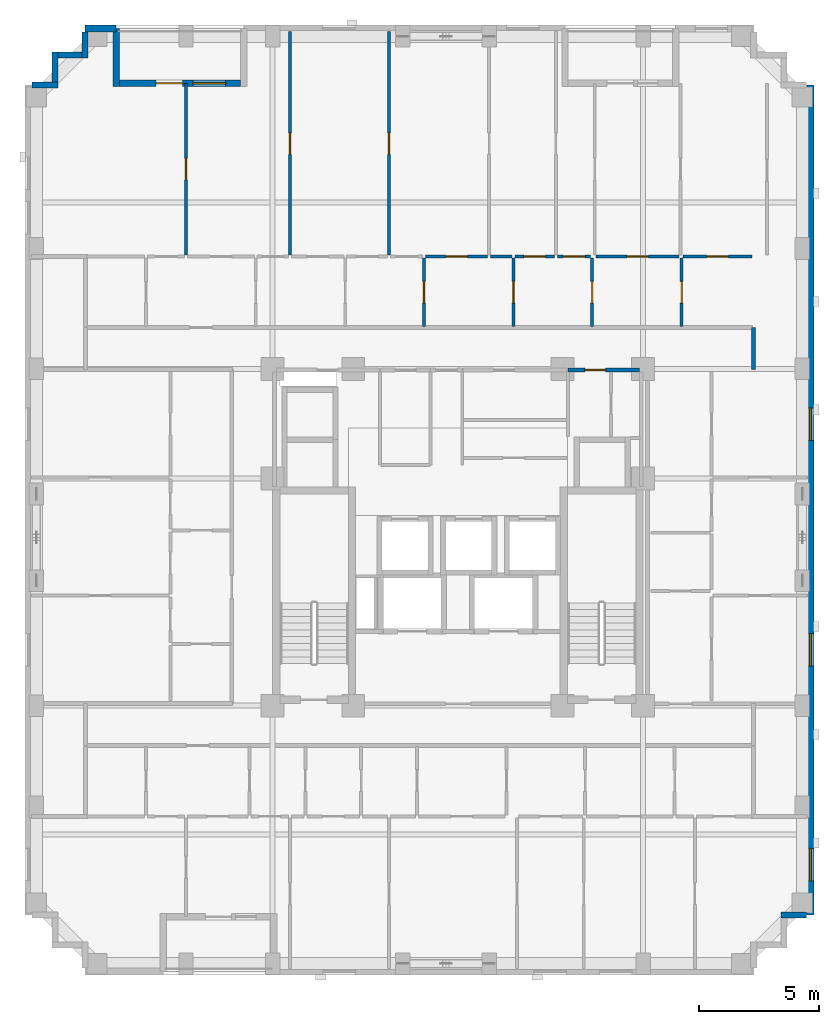
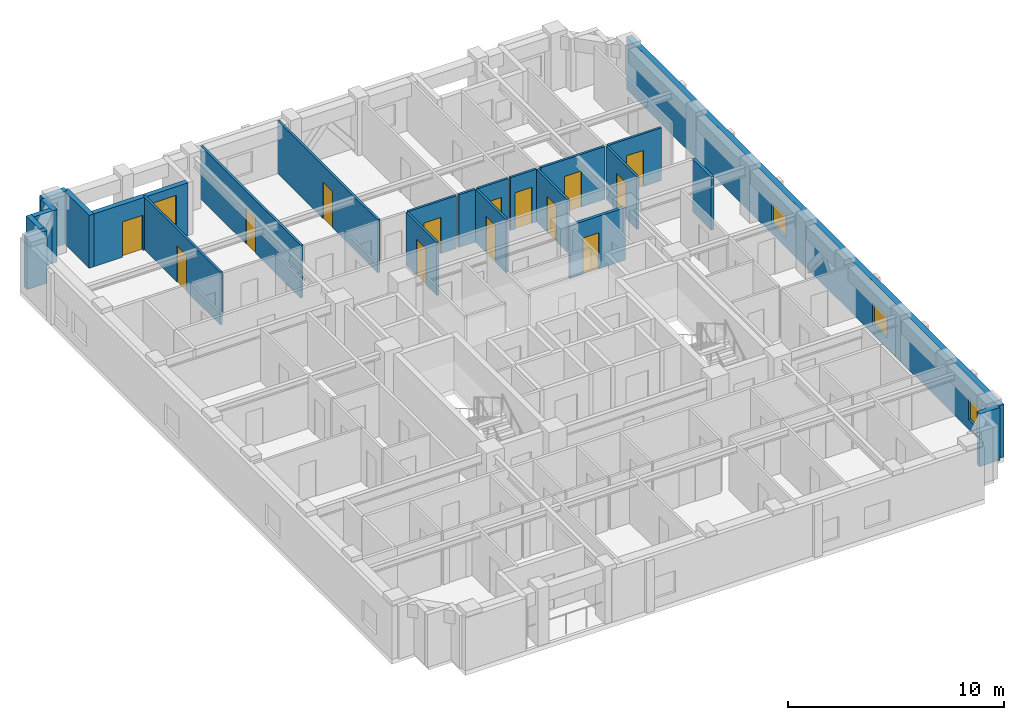
# One storey, part 7 of 11: 24 walls, 14 doors, 4 windows, 18 openings.
"""IFC4 building model written with IfcOpenShell, lengths in metres."""

from ifc_helpers import new_model, si_unit, derived_unit, direction, frame, frame_2d, origin, place, context, subcontext, project, spatial, rectangle, extrude, material, layer, layer_set, type_object, element, fill, save


model = new_model("IFC4")

# Units and contexts
model_context = context("Model", 3, precision=1e-05, world=origin(), true_north=direction((0.0, 1.0)))
body_context = subcontext(model_context, "Body", "Model", "MODEL_VIEW")
ifc_project = project(units=[si_unit("LENGTHUNIT", "METRE"), si_unit("AREAUNIT", "SQUARE_METRE"), si_unit("VOLUMEUNIT", "CUBIC_METRE"), si_unit("PLANEANGLEUNIT", "RADIAN"), si_unit("MASSUNIT", "GRAM", prefix="KILO"), derived_unit("THERMALTRANSMITTANCEUNIT", [(si_unit("MASSUNIT", "GRAM", prefix="KILO"), 1), (si_unit("TIMEUNIT", "SECOND"), -3), (si_unit("THERMODYNAMICTEMPERATUREUNIT", "KELVIN"), -1)])], contexts=[model_context])

# Site, building, storey
site_placement = place(None, origin())
site = spatial("IfcSite", under=ifc_project, at=site_placement, CompositionType="ELEMENT")
building_placement = place(site_placement, origin())
building = spatial("IfcBuilding", under=site, at=building_placement, Name="Korrvale Station Residences", CompositionType="ELEMENT")
storey_placement = place(building_placement, frame((0.0, 0.0, 153.64990234375)))
storey = spatial("IfcBuildingStorey", under=building, at=storey_placement, Name="L44", CompositionType="ELEMENT", Elevation=153.64990234375)

# Wall
ifc_material_1 = material(Name="Precast concrete C45/55", Category="concrete")
ifc_layer_1 = layer(ifc_material_1, 0.260009765625, Name="Precast concrete C45/55")
ifc_layer_set_1 = layer_set([ifc_layer_1], Name="Precast concrete C45/55")
wall_type_1 = type_object("IfcWallType", Name="WAL-EXT-LOG260", PredefinedType="SOLIDWALL", material=ifc_layer_set_1)
wall_1_placement = place(storey_placement, frame((11.300048828125, 43.139892578125, 0.0), z_axis=(0.0, 0.0, 1.0), x_axis=(0.0, -1.0, 0.0)))
element("IfcWall", 1, at=wall_1_placement, inside=storey, type_object=wall_type_1, Name="L44 Recessed Loggia Wall BAL-L44-N2-L", PredefinedType="SOLIDWALL", context=body_context, shape_type="SweptSolid", body=[
    extrude(rectangle(XDim=2.39990234375, YDim=0.260009765625, at=frame_2d((1.199951171875, 0.0))), origin(), (0.0, 0.0, 1.0), 2.989990234375),
])

# Wall, openings, door, window
wall_2_placement = place(storey_placement, frame((11.43408203125, 40.8701171875, 0.0), z_axis=(0.0, 0.0, 1.0), x_axis=(1.0, 0.0, 0.0)))
wall_2 = element("IfcWall", 2, at=wall_2_placement, inside=storey, type_object=wall_type_1, Name="L44 Recessed Loggia Wall BAL-L44-N2-B", PredefinedType="SOLIDWALL", context=body_context, shape_type="SweptSolid", body=[
    extrude(rectangle(XDim=5.031982421875, YDim=0.260009765625, at=frame_2d((2.51611328125, 0.0))), origin(), (0.0, 0.0, 1.0), 2.989990234375),
])
opening_1_placement = place(wall_2_placement, frame((1.52587890625, 0.0, 0.0)))
opening_1 = element("IfcOpeningElement", 3, at=opening_1_placement, cuts=wall_2, Name="Opening BD-01", PredefinedType="OPENING", context=body_context, shape_type="SweptSolid", body=[
    extrude(rectangle(XDim=1.10009765625, YDim=2.0, at=frame_2d((0.550048828125, 1.0))), frame((0.0, 0.14013671875, 0.0), z_axis=(0.0, -1.0, 0.0), x_axis=(1.0, 0.0, 0.0)), (0.0, 0.0, 1.0), 0.280029296875),
])
opening_2_placement = place(wall_2_placement, frame((3.06103515625, 0.0, 0.85009765625)))
opening_2 = element("IfcOpeningElement", 4, at=opening_2_placement, cuts=wall_2, Name="Opening W-06", PredefinedType="OPENING", context=body_context, shape_type="SweptSolid", body=[
    extrude(rectangle(XDim=1.35009765625, YDim=1.64990234375, at=frame_2d((0.675048828125, 0.824951171875))), frame((0.0, 0.14013671875, 0.0), z_axis=(0.0, -1.0, 0.0), x_axis=(1.0, 0.0, 0.0)), (0.0, 0.0, 1.0), 0.280029296875),
])
ifc_material_2 = material(Name="Exterior thermally broken aluminium glazed balcony door", Category="aluminium")
door_type_1 = type_object("IfcDoorType", Name="DR-EXT-BAL", OperationType="NOTDEFINED", PredefinedType="DOOR", material=ifc_material_2)
door_1_placement = place(opening_1_placement, origin())
door_1 = element("IfcDoor", 5, at=door_1_placement, inside=storey, type_object=door_type_1, Name="L44 Loggia Balcony Door BAL-L44-N2", OperationType="SINGLE_SWING_LEFT", OverallHeight=2.0, OverallWidth=1.10009765625, PredefinedType="DOOR", context=body_context, shape_type="SweptSolid", body=[
    extrude(rectangle(XDim=1.10009765625, YDim=2.0, at=frame_2d((0.550048828125, 1.0))), frame((0.0, 0.02490234375, 0.0), z_axis=(0.0, -1.0, 0.0), x_axis=(1.0, 0.0, 0.0)), (0.0, 0.0, 1.0), 0.050048828125),
])
fill(opening_1, door_1)
ifc_material_3 = material(Name="Thermally broken aluminium frame with triple low-e glazing", Category="aluminium")
window_type_1 = type_object("IfcWindowType", Name="WIN-W06", PartitioningType="SINGLE_PANEL", PredefinedType="WINDOW", material=ifc_material_3)
window_1_placement = place(opening_2_placement, origin())
window_1 = element("IfcWindow", 6, at=window_1_placement, inside=storey, type_object=window_type_1, Name="L44 Punched Window 09", OverallHeight=1.64990234375, OverallWidth=1.35009765625, PartitioningType="SINGLE_PANEL", PredefinedType="WINDOW", context=body_context, shape_type="SweptSolid", body=[
    extrude(rectangle(XDim=1.35009765625, YDim=1.64990234375, at=frame_2d((0.675048828125, 0.824951171875))), frame((0.0, 0.030029296875, 0.0), z_axis=(0.0, -1.0, 0.0), x_axis=(1.0, 0.0, 0.0)), (0.0, 0.0, 1.0), 0.06005859375),
])
fill(opening_2, window_1)

# Walls
wall_3_placement = place(storey_placement, frame((7.802001953125, 40.800048828125, 0.0), z_axis=(0.0, 0.0, 1.0), x_axis=(1.0, 0.0, 0.0)))
element("IfcWall", 7, at=wall_3_placement, inside=storey, type_object=wall_type_1, Name="L44 Serrated Corner Precast Step NW-1", PredefinedType="SOLIDWALL", context=body_context, shape_type="SweptSolid", body=[
    extrude(rectangle(XDim=1.077880859375, YDim=0.260009765625, at=frame_2d((0.5390625, 0.0))), origin(), (0.0, 0.0, 1.0), 2.989990234375),
])
wall_4_placement = place(storey_placement, frame((8.75, 40.931884765625, 0.0), z_axis=(0.0, 0.0, 1.0), x_axis=(0.0, 1.0, 0.0)))
element("IfcWall", 8, at=wall_4_placement, inside=storey, type_object=wall_type_1, Name="L44 Serrated Corner Precast Step NW-2", PredefinedType="SOLIDWALL", context=body_context, shape_type="SweptSolid", body=[
    extrude(rectangle(XDim=1.248046875, YDim=0.260009765625, at=frame_2d((0.6240234375, 0.0))), origin(), (0.0, 0.0, 1.0), 2.989990234375),
])
wall_5_placement = place(storey_placement, frame((8.882080078125, 42.050048828125, 0.0), z_axis=(0.0, 0.0, 1.0), x_axis=(1.0, 0.0, 0.0)))
element("IfcWall", 9, at=wall_5_placement, inside=storey, type_object=wall_type_1, Name="L44 Serrated Corner Precast Step NW-3", PredefinedType="SOLIDWALL", context=body_context, shape_type="SweptSolid", body=[
    extrude(rectangle(XDim=0.98583984375, YDim=0.260009765625, at=frame_2d((0.492919921875, 0.0))), origin(), (0.0, 0.0, 1.0), 2.989990234375),
])
for number, where, z_axis, x_axis, name in (
    (10, (10.0, 41.919921875, 0.0), (0.0, 0.0, 1.0), (0.0, 1.0, 0.0), "L44 Serrated Corner Precast Step NW-4"),
    (11, (39.998046875, 6.300048828125, 0.0), (0.0, 0.0, 1.0), (-1.0, 0.0, 0.0), "L44 Serrated Corner Precast Step SE-1"),
):
    element("IfcWall", number, at=place(storey_placement, frame(where, z_axis=z_axis, x_axis=x_axis)), inside=storey, type_object=wall_type_1, Name=name, PredefinedType="SOLIDWALL", context=body_context, shape_type="SweptSolid", body=[
        extrude(rectangle(XDim=1.078125, YDim=0.260009765625, at=frame_2d((0.5390625, 0.0))), origin(), (0.0, 0.0, 1.0), 2.989990234375),
    ])
ifc_layer_2 = layer(ifc_material_1, 0.300048828125, Name="Precast concrete C45/55")
ifc_layer_set_2 = layer_set([ifc_layer_2], Name="Precast concrete C45/55")
wall_type_2 = type_object("IfcWallType", Name="WAL-EXT-PC300", PredefinedType="SOLIDWALL", material=ifc_layer_set_2)
wall_6_placement = place(storey_placement, frame((10.0, 43.14990234375, 0.0), z_axis=(0.0, 0.0, 1.0), x_axis=(1.0, 0.0, 0.0)))
element("IfcWall", 12, at=wall_6_placement, inside=storey, type_object=wall_type_2, Name="L44 North Exterior Precast Wall 1", PredefinedType="SOLIDWALL", context=body_context, shape_type="SweptSolid", body=[
    extrude(rectangle(XDim=1.300048828125, YDim=0.300048828125, at=frame_2d((0.64990234375, 0.0))), origin(), (0.0, 0.0, 1.0), 2.989990234375),
])

# Wall, openings, windows
wall_7_placement = place(storey_placement, frame((40.14990234375, 40.800048828125, 0.0), z_axis=(0.0, 0.0, 1.0), x_axis=(0.0, -1.0, 0.0)))
wall_7 = element("IfcWall", 13, at=wall_7_placement, inside=storey, type_object=wall_type_2, Name="L44 East Exterior Precast Wall 1", PredefinedType="SOLIDWALL", context=body_context, shape_type="SweptSolid", body=[
    extrude(rectangle(XDim=34.5, YDim=0.300048828125, at=frame_2d((17.25, 0.0))), origin(), (0.0, 0.0, 1.0), 2.989990234375),
])
opening_3_placement = place(wall_7_placement, frame((31.72509765625, 0.0, 0.550048828125)))
opening_3 = element("IfcOpeningElement", 14, at=opening_3_placement, cuts=wall_7, Name="Opening W-10", PredefinedType="OPENING", context=body_context, shape_type="SweptSolid", body=[
    extrude(rectangle(XDim=1.35009765625, YDim=1.199951171875, at=frame_2d((0.675048828125, 0.60009765625))), frame((0.0, 0.16015625, 0.0), z_axis=(0.0, -1.0, 0.0), x_axis=(1.0, 0.0, 0.0)), (0.0, 0.0, 1.0), 0.320068359375),
])
opening_4_placement = place(wall_7_placement, frame((22.800048828125, 0.0, 0.550048828125)))
opening_4 = element("IfcOpeningElement", 15, at=opening_4_placement, cuts=wall_7, Name="Opening W-10", PredefinedType="OPENING", context=body_context, shape_type="SweptSolid", body=[
    extrude(rectangle(XDim=1.35009765625, YDim=1.199951171875, at=frame_2d((0.675048828125, 0.60009765625))), frame((0.0, 0.16015625, 0.0), z_axis=(0.0, -1.0, 0.0), x_axis=(1.0, 0.0, 0.0)), (0.0, 0.0, 1.0), 0.320068359375),
])
opening_5_placement = place(wall_7_placement, frame((13.425048828125, 0.0, 0.550048828125)))
opening_5 = element("IfcOpeningElement", 16, at=opening_5_placement, cuts=wall_7, Name="Opening W-10", PredefinedType="OPENING", context=body_context, shape_type="SweptSolid", body=[
    extrude(rectangle(XDim=1.35009765625, YDim=1.199951171875, at=frame_2d((0.675048828125, 0.60009765625))), frame((0.0, 0.16015625, 0.0), z_axis=(0.0, -1.0, 0.0), x_axis=(1.0, 0.0, 0.0)), (0.0, 0.0, 1.0), 0.320068359375),
])
window_type_2 = type_object("IfcWindowType", Name="WIN-W10", PartitioningType="SINGLE_PANEL", PredefinedType="WINDOW", material=ifc_material_3)
window_2_placement = place(opening_3_placement, origin())
window_2 = element("IfcWindow", 17, at=window_2_placement, inside=storey, type_object=window_type_2, Name="L44 Punched Window 06", OverallHeight=1.199951171875, OverallWidth=1.35009765625, PartitioningType="SINGLE_PANEL", PredefinedType="WINDOW", context=body_context, shape_type="SweptSolid", body=[
    extrude(rectangle(XDim=1.35009765625, YDim=1.199951171875, at=frame_2d((0.675048828125, 0.60009765625))), frame((0.0, 0.030029296875, 0.0), z_axis=(0.0, -1.0, 0.0), x_axis=(1.0, 0.0, 0.0)), (0.0, 0.0, 1.0), 0.06005859375),
])
fill(opening_3, window_2)
window_3_placement = place(opening_4_placement, origin())
window_3 = element("IfcWindow", 18, at=window_3_placement, inside=storey, type_object=window_type_2, Name="L44 Punched Window 16", OverallHeight=1.199951171875, OverallWidth=1.35009765625, PartitioningType="SINGLE_PANEL", PredefinedType="WINDOW", context=body_context, shape_type="SweptSolid", body=[
    extrude(rectangle(XDim=1.35009765625, YDim=1.199951171875, at=frame_2d((0.675048828125, 0.60009765625))), frame((0.0, 0.030029296875, 0.0), z_axis=(0.0, -1.0, 0.0), x_axis=(1.0, 0.0, 0.0)), (0.0, 0.0, 1.0), 0.06005859375),
])
fill(opening_4, window_3)
window_4_placement = place(opening_5_placement, origin())
window_4 = element("IfcWindow", 19, at=window_4_placement, inside=storey, type_object=window_type_2, Name="L44 Punched Window 17", OverallHeight=1.199951171875, OverallWidth=1.35009765625, PartitioningType="SINGLE_PANEL", PredefinedType="WINDOW", context=body_context, shape_type="SweptSolid", body=[
    extrude(rectangle(XDim=1.35009765625, YDim=1.199951171875, at=frame_2d((0.675048828125, 0.60009765625))), frame((0.0, 0.030029296875, 0.0), z_axis=(0.0, -1.0, 0.0), x_axis=(1.0, 0.0, 0.0)), (0.0, 0.0, 1.0), 0.06005859375),
])
fill(opening_5, window_4)

# Wall, opening, door
ifc_material_4 = material(Name="Acoustic steel-stud gypsum board partition", Category="steel")
ifc_layer_3 = layer(ifc_material_4, 0.1201171875, Name="Acoustic steel-stud gypsum board partition")
ifc_layer_set_3 = layer_set([ifc_layer_3], Name="Acoustic steel-stud gypsum board partition")
wall_type_3 = type_object("IfcWallType", Name="WAL-PART-125", PredefinedType="PARTITIONING", material=ifc_layer_set_3)
wall_8_placement = place(storey_placement, frame((24.090087890625, 30.760009765625, 0.0), z_axis=(0.0, 0.0, 1.0), x_axis=(0.0, 1.0, 0.0)))
wall_8 = element("IfcWall", 20, at=wall_8_placement, inside=storey, type_object=wall_type_3, Name="L44 Suite Partition U02-V34", PredefinedType="PARTITIONING", context=body_context, shape_type="SweptSolid", body=[
    extrude(rectangle(XDim=2.85009765625, YDim=0.1201171875, at=frame_2d((1.425048828125, 0.0))), origin(), (0.0, 0.0, 1.0), 2.989990234375),
])
opening_6_placement = place(wall_8_placement, frame((0.97509765625, 0.0, 0.0)))
opening_6 = element("IfcOpeningElement", 21, at=opening_6_placement, cuts=wall_8, Name="Opening DI-900", PredefinedType="OPENING", context=body_context, shape_type="SweptSolid", body=[
    extrude(rectangle(XDim=0.89990234375, YDim=2.050048828125, at=frame_2d((0.449951171875, 1.02490234375))), frame((0.0, 0.070068359375, 0.0), z_axis=(0.0, -1.0, 0.0), x_axis=(1.0, 0.0, 0.0)), (0.0, 0.0, 1.0), 0.14013671875),
])
ifc_material_5 = material(Name="Painted solid-core timber interior room door", Category="wood")
door_type_2 = type_object("IfcDoorType", Name="DR-INT-900", OperationType="NOTDEFINED", PredefinedType="DOOR", material=ifc_material_5)
door_2_placement = place(opening_6_placement, origin())
door_2 = element("IfcDoor", 22, at=door_2_placement, inside=storey, type_object=door_type_2, Name="L44 Apartment 3BR L44-U02 Storage Closet 2 Door", OperationType="SINGLE_SWING_RIGHT", OverallHeight=2.050048828125, OverallWidth=0.89990234375, PredefinedType="DOOR", context=body_context, shape_type="SweptSolid", body=[
    extrude(rectangle(XDim=0.89990234375, YDim=2.050048828125, at=frame_2d((0.449951171875, 1.02490234375))), frame((0.0, 0.02490234375, 0.0), z_axis=(0.0, -1.0, 0.0), x_axis=(1.0, 0.0, 0.0)), (0.0, 0.0, 1.0), 0.050048828125),
])
fill(opening_6, door_2)

wall_9_placement = place(storey_placement, frame((27.81005859375, 30.760009765625, 0.0), z_axis=(0.0, 0.0, 1.0), x_axis=(0.0, 1.0, 0.0)))
wall_9 = element("IfcWall", 23, at=wall_9_placement, inside=storey, type_object=wall_type_3, Name="L44 Suite Partition U02-V45", PredefinedType="PARTITIONING", context=body_context, shape_type="SweptSolid", body=[
    extrude(rectangle(XDim=2.85009765625, YDim=0.1201171875, at=frame_2d((1.425048828125, 0.0))), origin(), (0.0, 0.0, 1.0), 2.989990234375),
])
opening_7_placement = place(wall_9_placement, frame((0.97509765625, 0.0, 0.0)))
opening_7 = element("IfcOpeningElement", 24, at=opening_7_placement, cuts=wall_9, Name="Opening DI-900", PredefinedType="OPENING", context=body_context, shape_type="SweptSolid", body=[
    extrude(rectangle(XDim=0.89990234375, YDim=2.050048828125, at=frame_2d((0.449951171875, 1.02490234375))), frame((0.0, 0.070068359375, 0.0), z_axis=(0.0, -1.0, 0.0), x_axis=(1.0, 0.0, 0.0)), (0.0, 0.0, 1.0), 0.14013671875),
])
door_3_placement = place(opening_7_placement, origin())
door_3 = element("IfcDoor", 25, at=door_3_placement, inside=storey, type_object=door_type_2, Name="L44 Apartment 3BR L44-U02 Storage Closet 3 Door", OperationType="SINGLE_SWING_LEFT", OverallHeight=2.050048828125, OverallWidth=0.89990234375, PredefinedType="DOOR", context=body_context, shape_type="SweptSolid", body=[
    extrude(rectangle(XDim=0.89990234375, YDim=2.050048828125, at=frame_2d((0.449951171875, 1.02490234375))), frame((0.0, 0.02490234375, 0.0), z_axis=(0.0, -1.0, 0.0), x_axis=(1.0, 0.0, 0.0)), (0.0, 0.0, 1.0), 0.050048828125),
])
fill(opening_7, door_3)

wall_10_placement = place(storey_placement, frame((24.14990234375, 33.669921875, 0.0), z_axis=(0.0, 0.0, 1.0), x_axis=(1.0, 0.0, 0.0)))
wall_10 = element("IfcWall", 26, at=wall_10_placement, inside=storey, type_object=wall_type_3, Name="L44 Suite Partition U02-H411", PredefinedType="PARTITIONING", context=body_context, shape_type="SweptSolid", body=[
    extrude(rectangle(XDim=2.590087890625, YDim=0.1201171875, at=frame_2d((1.294921875, 0.0))), origin(), (0.0, 0.0, 1.0), 2.989990234375),
])
opening_8_placement = place(wall_10_placement, frame((0.844970703125, 0.0, 0.0)))
opening_8 = element("IfcOpeningElement", 27, at=opening_8_placement, cuts=wall_10, Name="Opening DI-900", PredefinedType="OPENING", context=body_context, shape_type="SweptSolid", body=[
    extrude(rectangle(XDim=0.89990234375, YDim=2.050048828125, at=frame_2d((0.449951171875, 1.02490234375))), frame((0.0, 0.070068359375, 0.0), z_axis=(0.0, -1.0, 0.0), x_axis=(1.0, 0.0, 0.0)), (0.0, 0.0, 1.0), 0.14013671875),
])
door_4_placement = place(opening_8_placement, origin())
door_4 = element("IfcDoor", 28, at=door_4_placement, inside=storey, type_object=door_type_2, Name="L44 Apartment 3BR L44-U02 Storage Closet 3 Door", OperationType="SINGLE_SWING_RIGHT", OverallHeight=2.050048828125, OverallWidth=0.89990234375, PredefinedType="DOOR", context=body_context, shape_type="SweptSolid", body=[
    extrude(rectangle(XDim=0.89990234375, YDim=2.050048828125, at=frame_2d((0.449951171875, 1.02490234375))), frame((0.0, 0.02490234375, 0.0), z_axis=(0.0, -1.0, 0.0), x_axis=(1.0, 0.0, 0.0)), (0.0, 0.0, 1.0), 0.050048828125),
])
fill(opening_8, door_4)

# Wall
wall_11_placement = place(storey_placement, frame((26.860107421875, 33.669921875, 0.0), z_axis=(0.0, 0.0, 1.0), x_axis=(1.0, 0.0, 0.0)))
element("IfcWall", 29, at=wall_11_placement, inside=storey, type_object=wall_type_3, Name="L44 Suite Partition U02-H412", PredefinedType="PARTITIONING", context=body_context, shape_type="SweptSolid", body=[
    extrude(rectangle(XDim=0.889892578125, YDim=0.1201171875, at=frame_2d((0.44482421875, 0.0))), origin(), (0.0, 0.0, 1.0), 2.989990234375),
])

# Wall, opening, door
wall_12_placement = place(storey_placement, frame((31.080078125, 30.760009765625, 0.0), z_axis=(0.0, 0.0, 1.0), x_axis=(0.0, 1.0, 0.0)))
wall_12 = element("IfcWall", 30, at=wall_12_placement, inside=storey, type_object=wall_type_3, Name="L44 Suite Partition U02-V56", PredefinedType="PARTITIONING", context=body_context, shape_type="SweptSolid", body=[
    extrude(rectangle(XDim=2.85009765625, YDim=0.1201171875, at=frame_2d((1.425048828125, 0.0))), origin(), (0.0, 0.0, 1.0), 2.989990234375),
])
opening_9_placement = place(wall_12_placement, frame((0.97509765625, 0.0, 0.0)))
opening_9 = element("IfcOpeningElement", 31, at=opening_9_placement, cuts=wall_12, Name="Opening DI-900", PredefinedType="OPENING", context=body_context, shape_type="SweptSolid", body=[
    extrude(rectangle(XDim=0.89990234375, YDim=2.050048828125, at=frame_2d((0.449951171875, 1.02490234375))), frame((0.0, 0.070068359375, 0.0), z_axis=(0.0, -1.0, 0.0), x_axis=(1.0, 0.0, 0.0)), (0.0, 0.0, 1.0), 0.14013671875),
])
door_5_placement = place(opening_9_placement, origin())
door_5 = element("IfcDoor", 32, at=door_5_placement, inside=storey, type_object=door_type_2, Name="L44 Apartment 3BR L44-U02 Storage Closet 4 Door", OperationType="SINGLE_SWING_LEFT", OverallHeight=2.050048828125, OverallWidth=0.89990234375, PredefinedType="DOOR", context=body_context, shape_type="SweptSolid", body=[
    extrude(rectangle(XDim=0.89990234375, YDim=2.050048828125, at=frame_2d((0.449951171875, 1.02490234375))), frame((0.0, 0.02490234375, 0.0), z_axis=(0.0, -1.0, 0.0), x_axis=(1.0, 0.0, 0.0)), (0.0, 0.0, 1.0), 0.050048828125),
])
fill(opening_9, door_5)

wall_13_placement = place(storey_placement, frame((27.8701171875, 33.669921875, 0.0), z_axis=(0.0, 0.0, 1.0), x_axis=(1.0, 0.0, 0.0)))
wall_13 = element("IfcWall", 33, at=wall_13_placement, inside=storey, type_object=wall_type_3, Name="L44 Suite Partition U02-H512", PredefinedType="PARTITIONING", context=body_context, shape_type="SweptSolid", body=[
    extrude(rectangle(XDim=1.639892578125, YDim=0.1201171875, at=frame_2d((0.81982421875, 0.0))), origin(), (0.0, 0.0, 1.0), 2.989990234375),
])
opening_10_placement = place(wall_13_placement, frame((0.3701171875, 0.0, 0.0)))
opening_10 = element("IfcOpeningElement", 34, at=opening_10_placement, cuts=wall_13, Name="Opening DI-900", PredefinedType="OPENING", context=body_context, shape_type="SweptSolid", body=[
    extrude(rectangle(XDim=0.89990234375, YDim=2.050048828125, at=frame_2d((0.449951171875, 1.02490234375))), frame((0.0, 0.070068359375, 0.0), z_axis=(0.0, -1.0, 0.0), x_axis=(1.0, 0.0, 0.0)), (0.0, 0.0, 1.0), 0.14013671875),
])
door_6_placement = place(opening_10_placement, origin())
door_6 = element("IfcDoor", 35, at=door_6_placement, inside=storey, type_object=door_type_2, Name="L44 Apartment 3BR L44-U02 Storage Closet 4 Door", OperationType="SINGLE_SWING_RIGHT", OverallHeight=2.050048828125, OverallWidth=0.89990234375, PredefinedType="DOOR", context=body_context, shape_type="SweptSolid", body=[
    extrude(rectangle(XDim=0.89990234375, YDim=2.050048828125, at=frame_2d((0.449951171875, 1.02490234375))), frame((0.0, 0.02490234375, 0.0), z_axis=(0.0, -1.0, 0.0), x_axis=(1.0, 0.0, 0.0)), (0.0, 0.0, 1.0), 0.050048828125),
])
fill(opening_10, door_6)

wall_14_placement = place(storey_placement, frame((29.6298828125, 33.669921875, 0.0), z_axis=(0.0, 0.0, 1.0), x_axis=(1.0, 0.0, 0.0)))
wall_14 = element("IfcWall", 36, at=wall_14_placement, inside=storey, type_object=wall_type_3, Name="L44 Suite Partition U02-H513", PredefinedType="PARTITIONING", context=body_context, shape_type="SweptSolid", body=[
    extrude(rectangle(XDim=1.39013671875, YDim=0.1201171875, at=frame_2d((0.695068359375, 0.0))), origin(), (0.0, 0.0, 1.0), 2.989990234375),
])
opening_11_placement = place(wall_14_placement, frame((0.2451171875, 0.0, 0.0)))
opening_11 = element("IfcOpeningElement", 37, at=opening_11_placement, cuts=wall_14, Name="Opening DI-900", PredefinedType="OPENING", context=body_context, shape_type="SweptSolid", body=[
    extrude(rectangle(XDim=0.89990234375, YDim=2.050048828125, at=frame_2d((0.449951171875, 1.02490234375))), frame((0.0, 0.070068359375, 0.0), z_axis=(0.0, -1.0, 0.0), x_axis=(1.0, 0.0, 0.0)), (0.0, 0.0, 1.0), 0.14013671875),
])
door_7_placement = place(opening_11_placement, origin())
door_7 = element("IfcDoor", 38, at=door_7_placement, inside=storey, type_object=door_type_2, Name="L44 Apartment 3BR L44-U02 Storage Closet 4 Door", OperationType="SINGLE_SWING_LEFT", OverallHeight=2.050048828125, OverallWidth=0.89990234375, PredefinedType="DOOR", context=body_context, shape_type="SweptSolid", body=[
    extrude(rectangle(XDim=0.89990234375, YDim=2.050048828125, at=frame_2d((0.449951171875, 1.02490234375))), frame((0.0, 0.02490234375, 0.0), z_axis=(0.0, -1.0, 0.0), x_axis=(1.0, 0.0, 0.0)), (0.0, 0.0, 1.0), 0.050048828125),
])
fill(opening_11, door_7)

wall_15_placement = place(storey_placement, frame((34.800048828125, 30.760009765625, 0.0), z_axis=(0.0, 0.0, 1.0), x_axis=(0.0, 1.0, 0.0)))
wall_15 = element("IfcWall", 39, at=wall_15_placement, inside=storey, type_object=wall_type_3, Name="L44 Suite Partition U02-V67", PredefinedType="PARTITIONING", context=body_context, shape_type="SweptSolid", body=[
    extrude(rectangle(XDim=2.85009765625, YDim=0.1201171875, at=frame_2d((1.425048828125, 0.0))), origin(), (0.0, 0.0, 1.0), 2.989990234375),
])
opening_12_placement = place(wall_15_placement, frame((0.97509765625, 0.0, 0.0)))
opening_12 = element("IfcOpeningElement", 40, at=opening_12_placement, cuts=wall_15, Name="Opening DI-900", PredefinedType="OPENING", context=body_context, shape_type="SweptSolid", body=[
    extrude(rectangle(XDim=0.89990234375, YDim=2.050048828125, at=frame_2d((0.449951171875, 1.02490234375))), frame((0.0, 0.070068359375, 0.0), z_axis=(0.0, -1.0, 0.0), x_axis=(1.0, 0.0, 0.0)), (0.0, 0.0, 1.0), 0.14013671875),
])
door_8_placement = place(opening_12_placement, origin())
door_8 = element("IfcDoor", 41, at=door_8_placement, inside=storey, type_object=door_type_2, Name="L44 Apartment 3BR L44-U02 Storage Closet 5 Door", OperationType="SINGLE_SWING_RIGHT", OverallHeight=2.050048828125, OverallWidth=0.89990234375, PredefinedType="DOOR", context=body_context, shape_type="SweptSolid", body=[
    extrude(rectangle(XDim=0.89990234375, YDim=2.050048828125, at=frame_2d((0.449951171875, 1.02490234375))), frame((0.0, 0.02490234375, 0.0), z_axis=(0.0, -1.0, 0.0), x_axis=(1.0, 0.0, 0.0)), (0.0, 0.0, 1.0), 0.050048828125),
])
fill(opening_12, door_8)

wall_16_placement = place(storey_placement, frame((31.25, 33.669921875, 0.0), z_axis=(0.0, 0.0, 1.0), x_axis=(1.0, 0.0, 0.0)))
wall_16 = element("IfcWall", 42, at=wall_16_placement, inside=storey, type_object=wall_type_3, Name="L44 Suite Partition U02-H614", PredefinedType="PARTITIONING", context=body_context, shape_type="SweptSolid", body=[
    extrude(rectangle(XDim=3.43994140625, YDim=0.1201171875, at=frame_2d((1.719970703125, 0.0))), origin(), (0.0, 0.0, 1.0), 2.989990234375),
])
opening_13_placement = place(wall_16_placement, frame((1.27001953125, 0.0, 0.0)))
opening_13 = element("IfcOpeningElement", 43, at=opening_13_placement, cuts=wall_16, Name="Opening DI-900", PredefinedType="OPENING", context=body_context, shape_type="SweptSolid", body=[
    extrude(rectangle(XDim=0.89990234375, YDim=2.050048828125, at=frame_2d((0.449951171875, 1.02490234375))), frame((0.0, 0.070068359375, 0.0), z_axis=(0.0, -1.0, 0.0), x_axis=(1.0, 0.0, 0.0)), (0.0, 0.0, 1.0), 0.14013671875),
])
door_9_placement = place(opening_13_placement, origin())
door_9 = element("IfcDoor", 44, at=door_9_placement, inside=storey, type_object=door_type_2, Name="L44 Apartment 3BR L44-U02 Storage Closet 5 Door", OperationType="SINGLE_SWING_LEFT", OverallHeight=2.050048828125, OverallWidth=0.89990234375, PredefinedType="DOOR", context=body_context, shape_type="SweptSolid", body=[
    extrude(rectangle(XDim=0.89990234375, YDim=2.050048828125, at=frame_2d((0.449951171875, 1.02490234375))), frame((0.0, 0.02490234375, 0.0), z_axis=(0.0, -1.0, 0.0), x_axis=(1.0, 0.0, 0.0)), (0.0, 0.0, 1.0), 0.050048828125),
])
fill(opening_13, door_9)

wall_17_placement = place(storey_placement, frame((34.860107421875, 33.669921875, 0.0), z_axis=(0.0, 0.0, 1.0), x_axis=(1.0, 0.0, 0.0)))
wall_17 = element("IfcWall", 45, at=wall_17_placement, inside=storey, type_object=wall_type_3, Name="L44 Suite Partition U02-H715", PredefinedType="PARTITIONING", context=body_context, shape_type="SweptSolid", body=[
    extrude(rectangle(XDim=2.85986328125, YDim=0.1201171875, at=frame_2d((1.429931640625, 0.0))), origin(), (0.0, 0.0, 1.0), 2.989990234375),
])
opening_14_placement = place(wall_17_placement, frame((0.97998046875, 0.0, 0.0)))
opening_14 = element("IfcOpeningElement", 46, at=opening_14_placement, cuts=wall_17, Name="Opening DI-900", PredefinedType="OPENING", context=body_context, shape_type="SweptSolid", body=[
    extrude(rectangle(XDim=0.89990234375, YDim=2.050048828125, at=frame_2d((0.449951171875, 1.02490234375))), frame((0.0, 0.070068359375, 0.0), z_axis=(0.0, -1.0, 0.0), x_axis=(1.0, 0.0, 0.0)), (0.0, 0.0, 1.0), 0.14013671875),
])
door_10_placement = place(opening_14_placement, origin())
door_10 = element("IfcDoor", 47, at=door_10_placement, inside=storey, type_object=door_type_2, Name="L44 Apartment 3BR L44-U02 Storage Closet 6 Door", OperationType="SINGLE_SWING_RIGHT", OverallHeight=2.050048828125, OverallWidth=0.89990234375, PredefinedType="DOOR", context=body_context, shape_type="SweptSolid", body=[
    extrude(rectangle(XDim=0.89990234375, YDim=2.050048828125, at=frame_2d((0.449951171875, 1.02490234375))), frame((0.0, 0.02490234375, 0.0), z_axis=(0.0, -1.0, 0.0), x_axis=(1.0, 0.0, 0.0)), (0.0, 0.0, 1.0), 0.050048828125),
])
fill(opening_14, door_10)

wall_18_placement = place(storey_placement, frame((14.199951171875, 33.72998046875, 0.0), z_axis=(0.0, 0.0, 1.0), x_axis=(0.0, 1.0, 0.0)))
wall_18 = element("IfcWall", 48, at=wall_18_placement, inside=storey, type_object=wall_type_3, Name="L44 Suite Partition U02-V89", PredefinedType="PARTITIONING", context=body_context, shape_type="SweptSolid", body=[
    extrude(rectangle(XDim=7.14013671875, YDim=0.1201171875, at=frame_2d((3.570068359375, 0.0))), origin(), (0.0, 0.0, 1.0), 2.989990234375),
])
opening_15_placement = place(wall_18_placement, frame((3.1201171875, 0.0, 0.0)))
opening_15 = element("IfcOpeningElement", 49, at=opening_15_placement, cuts=wall_18, Name="Opening DI-900", PredefinedType="OPENING", context=body_context, shape_type="SweptSolid", body=[
    extrude(rectangle(XDim=0.89990234375, YDim=2.050048828125, at=frame_2d((0.449951171875, 1.02490234375))), frame((0.0, 0.070068359375, 0.0), z_axis=(0.0, -1.0, 0.0), x_axis=(1.0, 0.0, 0.0)), (0.0, 0.0, 1.0), 0.14013671875),
])
door_11_placement = place(opening_15_placement, origin())
door_11 = element("IfcDoor", 50, at=door_11_placement, inside=storey, type_object=door_type_2, Name="L44 Apartment 3BR L44-U02 Living and Dining Room Door", OperationType="SINGLE_SWING_LEFT", OverallHeight=2.050048828125, OverallWidth=0.89990234375, PredefinedType="DOOR", context=body_context, shape_type="SweptSolid", body=[
    extrude(rectangle(XDim=0.89990234375, YDim=2.050048828125, at=frame_2d((0.449951171875, 1.02490234375))), frame((0.0, 0.02490234375, 0.0), z_axis=(0.0, -1.0, 0.0), x_axis=(1.0, 0.0, 0.0)), (0.0, 0.0, 1.0), 0.050048828125),
])
fill(opening_15, door_11)

wall_19_placement = place(storey_placement, frame((18.52001953125, 33.72998046875, 0.0), z_axis=(0.0, 0.0, 1.0), x_axis=(0.0, 1.0, 0.0)))
wall_19 = element("IfcWall", 51, at=wall_19_placement, inside=storey, type_object=wall_type_3, Name="L44 Suite Partition U02-V910", PredefinedType="PARTITIONING", context=body_context, shape_type="SweptSolid", body=[
    extrude(rectangle(XDim=9.2900390625, YDim=0.1201171875, at=frame_2d((4.64501953125, 0.0))), origin(), (0.0, 0.0, 1.0), 2.989990234375),
])
opening_16_placement = place(wall_19_placement, frame((4.179931640625, 0.0, 0.0)))
opening_16 = element("IfcOpeningElement", 52, at=opening_16_placement, cuts=wall_19, Name="Opening DI-900", PredefinedType="OPENING", context=body_context, shape_type="SweptSolid", body=[
    extrude(rectangle(XDim=0.89990234375, YDim=2.050048828125, at=frame_2d((0.449951171875, 1.02490234375))), frame((0.0, 0.070068359375, 0.0), z_axis=(0.0, -1.0, 0.0), x_axis=(1.0, 0.0, 0.0)), (0.0, 0.0, 1.0), 0.14013671875),
])
door_12_placement = place(opening_16_placement, origin())
door_12 = element("IfcDoor", 53, at=door_12_placement, inside=storey, type_object=door_type_2, Name="L44 Apartment 3BR L44-U02 Formal Dining Room Door", OperationType="SINGLE_SWING_RIGHT", OverallHeight=2.050048828125, OverallWidth=0.89990234375, PredefinedType="DOOR", context=body_context, shape_type="SweptSolid", body=[
    extrude(rectangle(XDim=0.89990234375, YDim=2.050048828125, at=frame_2d((0.449951171875, 1.02490234375))), frame((0.0, 0.02490234375, 0.0), z_axis=(0.0, -1.0, 0.0), x_axis=(1.0, 0.0, 0.0)), (0.0, 0.0, 1.0), 0.050048828125),
])
fill(opening_16, door_12)

wall_20_placement = place(storey_placement, frame((22.639892578125, 33.72998046875, 0.0), z_axis=(0.0, 0.0, 1.0), x_axis=(0.0, 1.0, 0.0)))
wall_20 = element("IfcWall", 54, at=wall_20_placement, inside=storey, type_object=wall_type_3, Name="L44 Suite Partition U02-V1011", PredefinedType="PARTITIONING", context=body_context, shape_type="SweptSolid", body=[
    extrude(rectangle(XDim=9.2900390625, YDim=0.1201171875, at=frame_2d((4.64501953125, 0.0))), origin(), (0.0, 0.0, 1.0), 2.989990234375),
])
opening_17_placement = place(wall_20_placement, frame((4.179931640625, 0.0, 0.0)))
opening_17 = element("IfcOpeningElement", 55, at=opening_17_placement, cuts=wall_20, Name="Opening DI-900", PredefinedType="OPENING", context=body_context, shape_type="SweptSolid", body=[
    extrude(rectangle(XDim=0.89990234375, YDim=2.050048828125, at=frame_2d((0.449951171875, 1.02490234375))), frame((0.0, 0.070068359375, 0.0), z_axis=(0.0, -1.0, 0.0), x_axis=(1.0, 0.0, 0.0)), (0.0, 0.0, 1.0), 0.14013671875),
])
door_13_placement = place(opening_17_placement, origin())
door_13 = element("IfcDoor", 56, at=door_13_placement, inside=storey, type_object=door_type_2, Name="L44 Apartment 3BR L44-U02 Family Lounge Room Door", OperationType="SINGLE_SWING_LEFT", OverallHeight=2.050048828125, OverallWidth=0.89990234375, PredefinedType="DOOR", context=body_context, shape_type="SweptSolid", body=[
    extrude(rectangle(XDim=0.89990234375, YDim=2.050048828125, at=frame_2d((0.449951171875, 1.02490234375))), frame((0.0, 0.02490234375, 0.0), z_axis=(0.0, -1.0, 0.0), x_axis=(1.0, 0.0, 0.0)), (0.0, 0.0, 1.0), 0.050048828125),
])
fill(opening_17, door_13)

ifc_material_6 = material(Name="Fire-rated twin-stud gypsum and mineral wool shaftwall assembly", Category="gypsum")
ifc_layer_4 = layer(ifc_material_6, 0.159912109375, Name="Fire-rated twin-stud gypsum and mineral wool shaftwall assembly")
ifc_layer_set_4 = layer_set([ifc_layer_4], Name="Fire-rated twin-stud gypsum and mineral wool shaftwall assembly")
wall_type_4 = type_object("IfcWallType", Name="WAL-PART-200", PredefinedType="PARTITIONING", material=ifc_layer_set_4)
wall_21_placement = place(storey_placement, frame((30.080078125, 28.949951171875, 0.0), z_axis=(0.0, 0.0, 1.0), x_axis=(1.0, 0.0, 0.0)))
wall_21 = element("IfcWall", 57, at=wall_21_placement, inside=storey, type_object=wall_type_4, Name="L44 Core Partition CW-CS-N", PredefinedType="PARTITIONING", context=body_context, shape_type="SweptSolid", body=[
    extrude(rectangle(XDim=2.9599609375, YDim=0.159912109375, at=frame_2d((1.47998046875, 0.0))), origin(), (0.0, 0.0, 1.0), 2.989990234375),
])
opening_18_placement = place(wall_21_placement, frame((0.695068359375, 0.0, 0.0)))
opening_18 = element("IfcOpeningElement", 58, at=opening_18_placement, cuts=wall_21, Name="Opening DB-860", PredefinedType="OPENING", context=body_context, shape_type="SweptSolid", body=[
    extrude(rectangle(XDim=0.860107421875, YDim=2.050048828125, at=frame_2d((0.43017578125, 1.02490234375))), frame((0.0, 0.08984375, 0.0), z_axis=(0.0, -1.0, 0.0), x_axis=(1.0, 0.0, 0.0)), (0.0, 0.0, 1.0), 0.179931640625),
])
ifc_material_7 = material(Name="Moisture-resistant solid-core bathroom door", Category="timber")
door_type_3 = type_object("IfcDoorType", Name="DR-BATH-860", OperationType="NOTDEFINED", PredefinedType="DOOR", material=ifc_material_7)
door_14_placement = place(opening_18_placement, origin())
door_14 = element("IfcDoor", 59, at=door_14_placement, inside=storey, type_object=door_type_3, Name="L44 Housekeeping Supply Door", OperationType="SINGLE_SWING_LEFT", OverallHeight=2.050048828125, OverallWidth=0.860107421875, PredefinedType="DOOR", context=body_context, shape_type="SweptSolid", body=[
    extrude(rectangle(XDim=0.860107421875, YDim=2.050048828125, at=frame_2d((0.43017578125, 1.02490234375))), frame((0.0, 0.02490234375, 0.0), z_axis=(0.0, -1.0, 0.0), x_axis=(1.0, 0.0, 0.0)), (0.0, 0.0, 1.0), 0.050048828125),
])
fill(opening_18, door_14)

# Wall
wall_22_placement = place(storey_placement, frame((37.780029296875, 28.97998046875, 0.0), z_axis=(0.0, 0.0, 1.0), x_axis=(0.0, 1.0, 0.0)))
element("IfcWall", 60, at=wall_22_placement, inside=storey, type_object=wall_type_4, Name="L44 Corridor North East Cap", PredefinedType="PARTITIONING", context=body_context, shape_type="SweptSolid", body=[
    extrude(rectangle(XDim=1.739990234375, YDim=0.159912109375, at=frame_2d((0.8701171875, 0.0))), origin(), (0.0, 0.0, 1.0), 2.989990234375),
])

save(model, "model.ifc")
